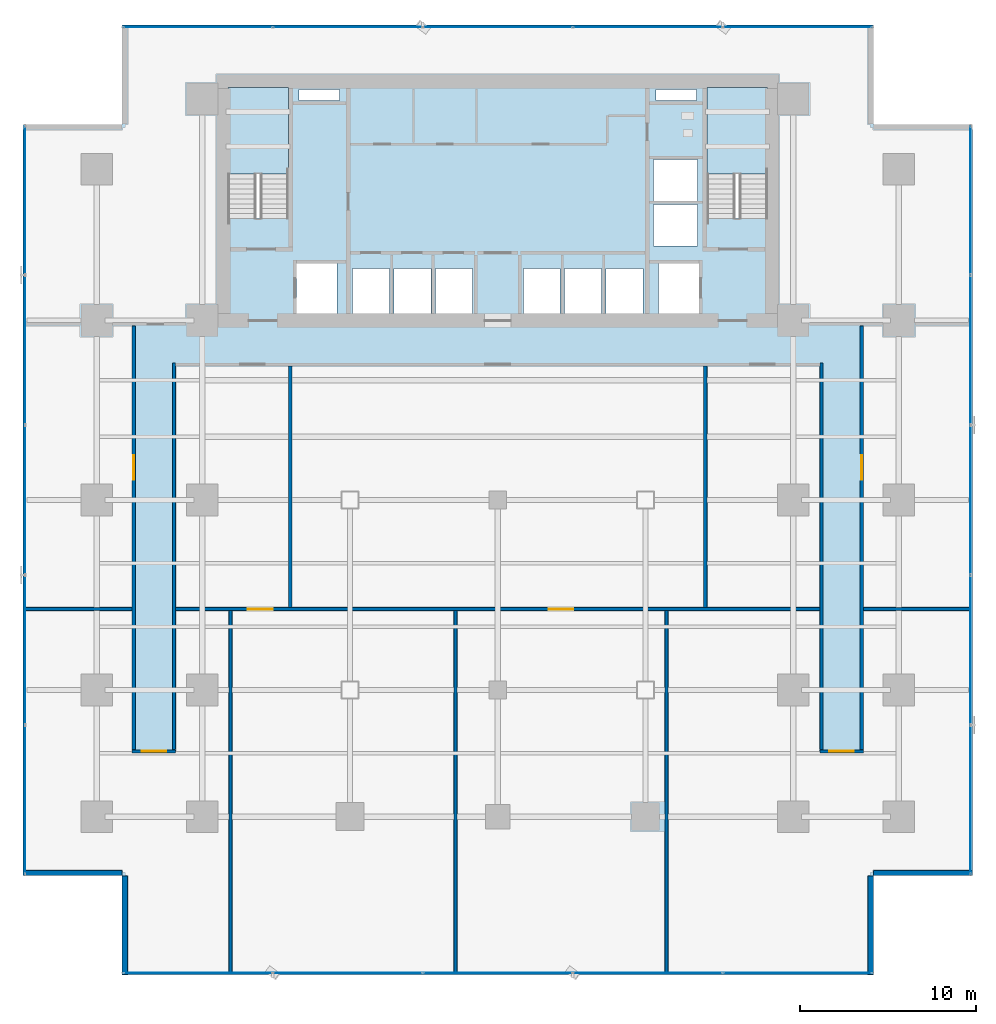
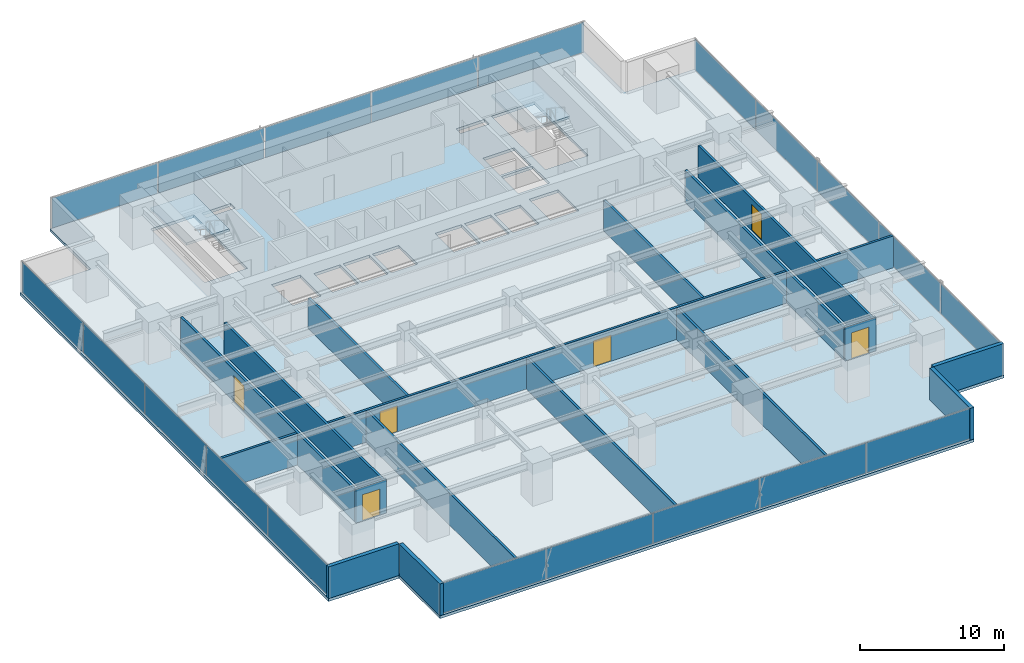
# One storey, part 24 of 33: 20 plates, 18 walls, 6 doors, 3 slabs, 6 openings, 6 elements without a shape of their own.
"""IFC4 building model written with IfcOpenShell, lengths in metres."""

from ifc_helpers import new_model, si_unit, direction, frame, frame_2d, origin, origin_2d, place, context, subcontext, project, spatial, polyline, rectangle, outline, extrude, source, transform, mapped, material, layer, layer_set, type_object, element, fill, aggregate, save


model = new_model("IFC4")

# Units and contexts
model_context = context("Model", 3, precision=1e-05, world=origin(), true_north=direction((0.0, 1.0)))
body_context = subcontext(model_context, "Body", "Model", "MODEL_VIEW")
ifc_project = project(units=[si_unit("LENGTHUNIT", "METRE"), si_unit("AREAUNIT", "SQUARE_METRE"), si_unit("VOLUMEUNIT", "CUBIC_METRE"), si_unit("PLANEANGLEUNIT", "RADIAN"), si_unit("MASSUNIT", "GRAM", prefix="KILO")], contexts=[model_context])

# Site, building, storey
site_placement = place(None, origin())
site = spatial("IfcSite", under=ifc_project, at=site_placement, CompositionType="ELEMENT")
building_placement = place(site_placement, origin())
building = spatial("IfcBuilding", under=site, at=building_placement, Name="Sumidabori Civic Tower", CompositionType="ELEMENT")
storey_placement = place(building_placement, frame((0.0, 0.0, 66.800048828125)))
storey = spatial("IfcBuildingStorey", under=building, at=storey_placement, Name="L17", CompositionType="ELEMENT", Elevation=66.800048828125)

# Stair, slab
ifc_material_1 = material(Name="Concrete C40/50", Category="concrete")
stair_type = type_object("IfcStairType", Name="ST-CORE-1600", PredefinedType="HALF_TURN_STAIR", material=ifc_material_1)
stair_1_placement = place(storey_placement, origin())
stair_1 = element("IfcStair", 1, at=stair_1_placement, inside=storey, type_object=stair_type, Name="L17 ST-1", PredefinedType="HALF_TURN_STAIR")
ifc_layer_1 = layer(ifc_material_1, 0.199951171875, Name="Concrete C40/50")
ifc_layer_set_1 = layer_set([ifc_layer_1], Name="Concrete C40/50")
slab_type_1 = type_object("IfcSlabType", Name="SL-LAND-200", PredefinedType="LANDING", material=ifc_layer_set_1)
slab_1_placement = place(storey_placement, frame((0.0, 0.0, 1.599853515625)))
slab_1 = element("IfcSlab", 2, at=slab_1_placement, type_object=slab_type_1, Name="ST-1 landing 1", PredefinedType="LANDING", context=body_context, shape_type="SweptSolid", body=[
    extrude(outline(polyline([(-11.89990234375, 18.52001953125), (-11.89990234375, 23.449951171875), (-15.340087890625, 23.449951171875), (-15.340087890625, 18.52001953125), (-11.89990234375, 18.52001953125)])), origin(), (0.0, 0.0, 1.0), 0.2001953125),
])
aggregate(stair_1, [slab_1])

stair_2_placement = place(storey_placement, origin())
stair_2 = element("IfcStair", 3, at=stair_2_placement, inside=storey, type_object=stair_type, Name="L17 ST-2", PredefinedType="HALF_TURN_STAIR")
slab_2_placement = place(storey_placement, frame((0.0, 0.0, 1.599853515625)))
slab_2 = element("IfcSlab", 4, at=slab_2_placement, type_object=slab_type_1, Name="ST-2 landing 1", PredefinedType="LANDING", context=body_context, shape_type="SweptSolid", body=[
    extrude(outline(polyline([(15.340087890625, 18.52001953125), (15.340087890625, 23.449951171875), (11.89990234375, 23.449951171875), (11.89990234375, 18.52001953125), (15.340087890625, 18.52001953125)])), origin(), (0.0, 0.0, 1.0), 0.2001953125),
])
aggregate(stair_2, [slab_2])

# Slab
ifc_layer_2 = layer(ifc_material_1, 0.239990234375, Name="Concrete C40/50")
ifc_layer_set_2 = layer_set([ifc_layer_2], Name="Concrete C40/50")
slab_type_2 = type_object("IfcSlabType", Name="SL-Z1-240", PredefinedType="FLOOR", material=ifc_layer_set_2)
slab_3_placement = place(storey_placement, frame((0.0, 0.0, -0.239990234375)))
element("IfcSlab", 5, at=slab_3_placement, inside=storey, type_object=slab_type_2, Name="Structural Slab L17", PredefinedType="FLOOR", context=body_context, shape_type="SweptSolid", body=[
    extrude(outline(polyline([(-21.35009765625, -27.0), (21.35009765625, -27.0), (21.35009765625, -21.35009765625), (27.0, -21.35009765625), (27.0, 21.35009765625), (21.35009765625, 21.35009765625), (21.35009765625, 27.0), (-21.35009765625, 27.0), (-21.35009765625, 21.35009765625), (-27.0, 21.35009765625), (-27.0, -21.35009765625), (-21.35009765625, -21.35009765625), (-21.35009765625, -27.0)]), holes=[polyline([(-11.89990234375, 16.0), (-11.89990234375, 23.449951171875), (-15.340087890625, 23.449951171875), (-15.340087890625, 16.0), (-11.89990234375, 16.0)]), polyline([(15.340087890625, 16.0), (15.340087890625, 23.449951171875), (11.89990234375, 23.449951171875), (11.89990234375, 16.0), (15.340087890625, 16.0)]), polyline([(-11.449951171875, 10.550048828125), (-9.14990234375, 10.550048828125), (-9.14990234375, 13.449951171875), (-11.449951171875, 13.449951171875), (-11.449951171875, 10.550048828125)]), polyline([(9.14990234375, 10.550048828125), (11.449951171875, 10.550048828125), (11.449951171875, 13.449951171875), (9.14990234375, 13.449951171875), (9.14990234375, 10.550048828125)]), polyline([(-8.25, 10.550048828125), (-6.14990234375, 10.550048828125), (-6.14990234375, 13.14990234375), (-8.25, 13.14990234375), (-8.25, 10.550048828125)]), polyline([(-5.89990234375, 10.550048828125), (-3.800048828125, 10.550048828125), (-3.800048828125, 13.14990234375), (-5.89990234375, 13.14990234375), (-5.89990234375, 10.550048828125)]), polyline([(-3.550048828125, 10.550048828125), (-1.449951171875, 10.550048828125), (-1.449951171875, 13.14990234375), (-3.550048828125, 13.14990234375), (-3.550048828125, 10.550048828125)]), polyline([(1.449951171875, 10.550048828125), (3.550048828125, 10.550048828125), (3.550048828125, 13.14990234375), (1.449951171875, 13.14990234375), (1.449951171875, 10.550048828125)]), polyline([(3.800048828125, 10.550048828125), (5.89990234375, 10.550048828125), (5.89990234375, 13.14990234375), (3.800048828125, 13.14990234375), (3.800048828125, 10.550048828125)]), polyline([(6.14990234375, 10.550048828125), (8.25, 10.550048828125), (8.25, 13.14990234375), (6.14990234375, 13.14990234375), (6.14990234375, 10.550048828125)]), polyline([(8.85009765625, 14.449951171875), (11.35009765625, 14.449951171875), (11.35009765625, 16.800048828125), (8.85009765625, 16.800048828125), (8.85009765625, 14.449951171875)]), polyline([(8.85009765625, 17.0), (11.35009765625, 17.0), (11.35009765625, 19.35009765625), (8.85009765625, 19.35009765625), (8.85009765625, 17.0)]), polyline([(-11.300048828125, 22.719970703125), (-9.0, 22.719970703125), (-9.0, 23.35009765625), (-11.300048828125, 23.35009765625), (-11.300048828125, 22.719970703125)]), polyline([(9.0, 22.719970703125), (11.300048828125, 22.719970703125), (11.300048828125, 23.35009765625), (9.0, 23.35009765625), (9.0, 22.719970703125)])]), origin(), (0.0, 0.0, 1.0), 0.239990234375),
])

# Curtain wall, plates
ifc_material_2 = material(Name="Anodised Bronze Aluminium AW-6063-T6", Category="aluminium")
ifc_layer_3 = layer(ifc_material_2, 0.179931640625, Name="Anodised Bronze Aluminium AW-6063-T6")
ifc_layer_set_3 = layer_set([ifc_layer_3], Name="Anodised Bronze Aluminium AW-6063-T6")
curtain_wall_type = type_object("IfcCurtainWallType", Name="CW-SYS-2", PredefinedType="NOTDEFINED", material=ifc_layer_set_3)
curtain_wall_1_placement = place(storey_placement, origin())
curtain_wall_1 = element("IfcCurtainWall", 6, at=curtain_wall_1_placement, inside=storey, type_object=curtain_wall_type, Name="Curtain Wall CW:L17:R01", PredefinedType="NOTDEFINED")
ifc_material_3 = material(Name="Low-E Solar-Control Vision Glazing", Category="glass")
ifc_layer_4 = layer(ifc_material_3, 0.028076171875, Name="Low-E Solar-Control Vision Glazing")
ifc_layer_set_4 = layer_set([ifc_layer_4], Name="Low-E Solar-Control Vision Glazing")
plate_type = type_object("IfcPlateType", Name="CW-PNL-28", PredefinedType="CURTAIN_PANEL", material=ifc_layer_set_4)
shared_shape_1 = source(origin(), body_context, "Body", "SweptSolid", [
    extrude(rectangle(XDim=8.423095703125, YDim=0.028076171875, at=origin_2d()), origin(), (0.0, 0.0, 1.0), 2.550048828125),
])
plate_1_placement = place(storey_placement, frame((-17.03857421875, -26.8798828125, 0.06494140625), z_axis=(0.0, 0.0, 1.0), x_axis=(1.0, 0.0, 0.0)))
plate_1 = element("IfcPlate", 7, at=plate_1_placement, type_object=plate_type, Name="CW-2 panel 1.1", PredefinedType="CURTAIN_PANEL", context=body_context, shape_type="MappedRepresentation", body=[
    mapped(shared_shape_1, transform((0.0, 0.0, 0.0), x_axis=(1.0, 0.0, 0.0), y_axis=(0.0, 1.0, 0.0), z_axis=(0.0, 0.0, 1.0), scale=1.0)),
])
plate_2_placement = place(storey_placement, frame((17.03857421875, -26.8798828125, 0.06494140625), z_axis=(0.0, 0.0, 1.0), x_axis=(1.0, 0.0, 0.0)))
plate_2 = element("IfcPlate", 8, at=plate_2_placement, type_object=plate_type, Name="CW-2 panel 5.1", PredefinedType="CURTAIN_PANEL", context=body_context, shape_type="MappedRepresentation", body=[
    mapped(shared_shape_1, transform((0.0, 0.0, 0.0), x_axis=(1.0, 0.0, 0.0), y_axis=(0.0, 1.0, 0.0), z_axis=(0.0, 0.0, 1.0), scale=1.0)),
])

curtain_wall_2_placement = place(storey_placement, origin())
curtain_wall_2 = element("IfcCurtainWall", 9, at=curtain_wall_2_placement, inside=storey, type_object=curtain_wall_type, Name="Curtain Wall CW:L17:R04", PredefinedType="NOTDEFINED")
plate_3_placement = place(storey_placement, frame((26.8798828125, -17.03857421875, 0.06494140625), z_axis=(0.0, 0.0, 1.0), x_axis=(0.0, 1.0, 0.0)))
plate_3 = element("IfcPlate", 10, at=plate_3_placement, type_object=plate_type, Name="CW-2 panel 1.1", PredefinedType="CURTAIN_PANEL", context=body_context, shape_type="MappedRepresentation", body=[
    mapped(shared_shape_1, transform((0.0, 0.0, 0.0), x_axis=(1.0, 0.0, 0.0), y_axis=(0.0, 1.0, 0.0), z_axis=(0.0, 0.0, 1.0), scale=1.0)),
])
plate_4_placement = place(storey_placement, frame((26.8798828125, 17.03857421875, 0.06494140625), z_axis=(0.0, 0.0, 1.0), x_axis=(0.0, 1.0, 0.0)))
plate_4 = element("IfcPlate", 11, at=plate_4_placement, type_object=plate_type, Name="CW-2 panel 5.1", PredefinedType="CURTAIN_PANEL", context=body_context, shape_type="MappedRepresentation", body=[
    mapped(shared_shape_1, transform((0.0, 0.0, 0.0), x_axis=(1.0, 0.0, 0.0), y_axis=(0.0, 1.0, 0.0), z_axis=(0.0, 0.0, 1.0), scale=1.0)),
])

curtain_wall_3_placement = place(storey_placement, origin())
curtain_wall_3 = element("IfcCurtainWall", 12, at=curtain_wall_3_placement, inside=storey, type_object=curtain_wall_type, Name="Curtain Wall CW:L17:R07", PredefinedType="NOTDEFINED")
plate_5_placement = place(storey_placement, frame((17.03857421875, 26.8798828125, 0.06494140625), z_axis=(0.0, 0.0, 1.0), x_axis=(-1.0, 0.0, 0.0)))
plate_5 = element("IfcPlate", 13, at=plate_5_placement, type_object=plate_type, Name="CW-2 panel 1.1", PredefinedType="CURTAIN_PANEL", context=body_context, shape_type="MappedRepresentation", body=[
    mapped(shared_shape_1, transform((0.0, 0.0, 0.0), x_axis=(1.0, 0.0, 0.0), y_axis=(0.0, 1.0, 0.0), z_axis=(0.0, 0.0, 1.0), scale=1.0)),
])
plate_6_placement = place(storey_placement, frame((-17.03857421875, 26.8798828125, 0.06494140625), z_axis=(0.0, 0.0, 1.0), x_axis=(-1.0, 0.0, 0.0)))
plate_6 = element("IfcPlate", 14, at=plate_6_placement, type_object=plate_type, Name="CW-2 panel 5.1", PredefinedType="CURTAIN_PANEL", context=body_context, shape_type="MappedRepresentation", body=[
    mapped(shared_shape_1, transform((0.0, 0.0, 0.0), x_axis=(1.0, 0.0, 0.0), y_axis=(0.0, 1.0, 0.0), z_axis=(0.0, 0.0, 1.0), scale=1.0)),
])

curtain_wall_4_placement = place(storey_placement, origin())
curtain_wall_4 = element("IfcCurtainWall", 15, at=curtain_wall_4_placement, inside=storey, type_object=curtain_wall_type, Name="Curtain Wall CW:L17:R10", PredefinedType="NOTDEFINED")
plate_7_placement = place(storey_placement, frame((-26.8798828125, 17.03857421875, 0.06494140625), z_axis=(0.0, 0.0, 1.0), x_axis=(0.0, -1.0, 0.0)))
plate_7 = element("IfcPlate", 16, at=plate_7_placement, type_object=plate_type, Name="CW-2 panel 1.1", PredefinedType="CURTAIN_PANEL", context=body_context, shape_type="MappedRepresentation", body=[
    mapped(shared_shape_1, transform((0.0, 0.0, 0.0), x_axis=(1.0, 0.0, 0.0), y_axis=(0.0, 1.0, 0.0), z_axis=(0.0, 0.0, 1.0), scale=1.0)),
])
plate_8_placement = place(storey_placement, frame((-26.8798828125, -17.03857421875, 0.06494140625), z_axis=(0.0, 0.0, 1.0), x_axis=(0.0, -1.0, 0.0)))
plate_8 = element("IfcPlate", 17, at=plate_8_placement, type_object=plate_type, Name="CW-2 panel 5.1", PredefinedType="CURTAIN_PANEL", context=body_context, shape_type="MappedRepresentation", body=[
    mapped(shared_shape_1, transform((0.0, 0.0, 0.0), x_axis=(1.0, 0.0, 0.0), y_axis=(0.0, 1.0, 0.0), z_axis=(0.0, 0.0, 1.0), scale=1.0)),
])

# Plate
shared_shape_2 = source(origin(), body_context, "Body", "SweptSolid", [
    extrude(rectangle(XDim=8.4580078125, YDim=0.028076171875, at=origin_2d()), origin(), (0.0, 0.0, 1.0), 2.550048828125),
])
plate_9_placement = place(storey_placement, frame((-8.528076171875, -26.8798828125, 0.06494140625), z_axis=(0.0, 0.0, 1.0), x_axis=(1.0, 0.0, 0.0)))
plate_9 = element("IfcPlate", 18, at=plate_9_placement, type_object=plate_type, Name="CW-2 panel 2.1", PredefinedType="CURTAIN_PANEL", context=body_context, shape_type="MappedRepresentation", body=[
    mapped(shared_shape_2, transform((0.0, 0.0, 0.0), x_axis=(1.0, 0.0, 0.0), y_axis=(0.0, 1.0, 0.0), z_axis=(0.0, 0.0, 1.0), scale=1.0)),
])

plate_10_placement = place(storey_placement, frame((0.0, -26.8798828125, 0.06494140625), z_axis=(0.0, 0.0, 1.0), x_axis=(1.0, 0.0, 0.0)))
plate_10 = element("IfcPlate", 19, at=plate_10_placement, type_object=plate_type, Name="CW-2 panel 3.1", PredefinedType="CURTAIN_PANEL", context=body_context, shape_type="MappedRepresentation", body=[
    mapped(shared_shape_2, transform((0.0, 0.0, 0.0), x_axis=(1.0, 0.0, 0.0), y_axis=(0.0, 1.0, 0.0), z_axis=(0.0, 0.0, 1.0), scale=1.0)),
])

plate_11_placement = place(storey_placement, frame((8.528076171875, -26.8798828125, 0.06494140625), z_axis=(0.0, 0.0, 1.0), x_axis=(1.0, 0.0, 0.0)))
plate_11 = element("IfcPlate", 20, at=plate_11_placement, type_object=plate_type, Name="CW-2 panel 4.1", PredefinedType="CURTAIN_PANEL", context=body_context, shape_type="MappedRepresentation", body=[
    mapped(shared_shape_2, transform((0.0, 0.0, 0.0), x_axis=(1.0, 0.0, 0.0), y_axis=(0.0, 1.0, 0.0), z_axis=(0.0, 0.0, 1.0), scale=1.0)),
])

aggregate(curtain_wall_1, [plate_1, plate_9, plate_10, plate_11, plate_2])

plate_12_placement = place(storey_placement, frame((26.8798828125, -8.528076171875, 0.06494140625), z_axis=(0.0, 0.0, 1.0), x_axis=(0.0, 1.0, 0.0)))
plate_12 = element("IfcPlate", 21, at=plate_12_placement, type_object=plate_type, Name="CW-2 panel 2.1", PredefinedType="CURTAIN_PANEL", context=body_context, shape_type="MappedRepresentation", body=[
    mapped(shared_shape_2, transform((0.0, 0.0, 0.0), x_axis=(1.0, 0.0, 0.0), y_axis=(0.0, 1.0, 0.0), z_axis=(0.0, 0.0, 1.0), scale=1.0)),
])

plate_13_placement = place(storey_placement, frame((26.8798828125, 0.0, 0.06494140625), z_axis=(0.0, 0.0, 1.0), x_axis=(0.0, 1.0, 0.0)))
plate_13 = element("IfcPlate", 22, at=plate_13_placement, type_object=plate_type, Name="CW-2 panel 3.1", PredefinedType="CURTAIN_PANEL", context=body_context, shape_type="MappedRepresentation", body=[
    mapped(shared_shape_2, transform((0.0, 0.0, 0.0), x_axis=(1.0, 0.0, 0.0), y_axis=(0.0, 1.0, 0.0), z_axis=(0.0, 0.0, 1.0), scale=1.0)),
])

plate_14_placement = place(storey_placement, frame((26.8798828125, 8.528076171875, 0.06494140625), z_axis=(0.0, 0.0, 1.0), x_axis=(0.0, 1.0, 0.0)))
plate_14 = element("IfcPlate", 23, at=plate_14_placement, type_object=plate_type, Name="CW-2 panel 4.1", PredefinedType="CURTAIN_PANEL", context=body_context, shape_type="MappedRepresentation", body=[
    mapped(shared_shape_2, transform((0.0, 0.0, 0.0), x_axis=(1.0, 0.0, 0.0), y_axis=(0.0, 1.0, 0.0), z_axis=(0.0, 0.0, 1.0), scale=1.0)),
])

aggregate(curtain_wall_2, [plate_3, plate_12, plate_13, plate_14, plate_4])

plate_15_placement = place(storey_placement, frame((8.528076171875, 26.8798828125, 0.06494140625), z_axis=(0.0, 0.0, 1.0), x_axis=(-1.0, 0.0, 0.0)))
plate_15 = element("IfcPlate", 24, at=plate_15_placement, type_object=plate_type, Name="CW-2 panel 2.1", PredefinedType="CURTAIN_PANEL", context=body_context, shape_type="MappedRepresentation", body=[
    mapped(shared_shape_2, transform((0.0, 0.0, 0.0), x_axis=(1.0, 0.0, 0.0), y_axis=(0.0, 1.0, 0.0), z_axis=(0.0, 0.0, 1.0), scale=1.0)),
])

plate_16_placement = place(storey_placement, frame((0.0, 26.8798828125, 0.06494140625), z_axis=(0.0, 0.0, 1.0), x_axis=(-1.0, 0.0, 0.0)))
plate_16 = element("IfcPlate", 25, at=plate_16_placement, type_object=plate_type, Name="CW-2 panel 3.1", PredefinedType="CURTAIN_PANEL", context=body_context, shape_type="MappedRepresentation", body=[
    mapped(shared_shape_2, transform((0.0, 0.0, 0.0), x_axis=(1.0, 0.0, 0.0), y_axis=(0.0, 1.0, 0.0), z_axis=(0.0, 0.0, 1.0), scale=1.0)),
])

plate_17_placement = place(storey_placement, frame((-8.528076171875, 26.8798828125, 0.06494140625), z_axis=(0.0, 0.0, 1.0), x_axis=(-1.0, 0.0, 0.0)))
plate_17 = element("IfcPlate", 26, at=plate_17_placement, type_object=plate_type, Name="CW-2 panel 4.1", PredefinedType="CURTAIN_PANEL", context=body_context, shape_type="MappedRepresentation", body=[
    mapped(shared_shape_2, transform((0.0, 0.0, 0.0), x_axis=(1.0, 0.0, 0.0), y_axis=(0.0, 1.0, 0.0), z_axis=(0.0, 0.0, 1.0), scale=1.0)),
])

aggregate(curtain_wall_3, [plate_5, plate_15, plate_16, plate_17, plate_6])

plate_18_placement = place(storey_placement, frame((-26.8798828125, 8.528076171875, 0.06494140625), z_axis=(0.0, 0.0, 1.0), x_axis=(0.0, -1.0, 0.0)))
plate_18 = element("IfcPlate", 27, at=plate_18_placement, type_object=plate_type, Name="CW-2 panel 2.1", PredefinedType="CURTAIN_PANEL", context=body_context, shape_type="MappedRepresentation", body=[
    mapped(shared_shape_2, transform((0.0, 0.0, 0.0), x_axis=(1.0, 0.0, 0.0), y_axis=(0.0, 1.0, 0.0), z_axis=(0.0, 0.0, 1.0), scale=1.0)),
])

plate_19_placement = place(storey_placement, frame((-26.8798828125, 0.0, 0.06494140625), z_axis=(0.0, 0.0, 1.0), x_axis=(0.0, -1.0, 0.0)))
plate_19 = element("IfcPlate", 28, at=plate_19_placement, type_object=plate_type, Name="CW-2 panel 3.1", PredefinedType="CURTAIN_PANEL", context=body_context, shape_type="MappedRepresentation", body=[
    mapped(shared_shape_2, transform((0.0, 0.0, 0.0), x_axis=(1.0, 0.0, 0.0), y_axis=(0.0, 1.0, 0.0), z_axis=(0.0, 0.0, 1.0), scale=1.0)),
])

plate_20_placement = place(storey_placement, frame((-26.8798828125, -8.528076171875, 0.06494140625), z_axis=(0.0, 0.0, 1.0), x_axis=(0.0, -1.0, 0.0)))
plate_20 = element("IfcPlate", 29, at=plate_20_placement, type_object=plate_type, Name="CW-2 panel 4.1", PredefinedType="CURTAIN_PANEL", context=body_context, shape_type="MappedRepresentation", body=[
    mapped(shared_shape_2, transform((0.0, 0.0, 0.0), x_axis=(1.0, 0.0, 0.0), y_axis=(0.0, 1.0, 0.0), z_axis=(0.0, 0.0, 1.0), scale=1.0)),
])

aggregate(curtain_wall_4, [plate_7, plate_18, plate_19, plate_20, plate_8])

# Walls
ifc_material_4 = material(Name="Precast concrete C40/50", Category="concrete")
ifc_layer_5 = layer(ifc_material_4, 0.300048828125, Name="Precast concrete C40/50")
ifc_layer_set_5 = layer_set([ifc_layer_5], Name="Precast concrete C40/50")
wall_type_1 = type_object("IfcWallType", Name="WL-EXT-POD300", PredefinedType="STANDARD", material=ifc_layer_set_5)
shared_shape_3 = source(origin(), body_context, "Body", "SweptSolid", [
    extrude(rectangle(XDim=5.60986328125, YDim=0.300048828125, at=frame_2d((2.804931640625, 0.0))), origin(), (0.0, 0.0, 1.0), 2.679931640625),
])
for number, where, z_axis, x_axis, name in (
    (30, (21.199951171875, -26.97998046875, 0.0), (0.0, 0.0, 1.0), (0.0, 1.0, 0.0), "Notched Corner Spandrel Band L17-02"),
    (31, (21.3701171875, -21.199951171875, 0.0), (0.0, 0.0, 1.0), (1.0, 0.0, 0.0), "Notched Corner Spandrel Band L17-03"),
    (32, (-26.97998046875, -21.199951171875, 0.0), (0.0, 0.0, 1.0), (1.0, 0.0, 0.0), "Notched Corner Spandrel Band L17-11"),
    (33, (-21.199951171875, -21.3701171875, 0.0), (0.0, 0.0, 1.0), (0.0, -1.0, 0.0), "Notched Corner Spandrel Band L17-12"),
):
    element("IfcWall", number, at=place(storey_placement, frame(where, z_axis=z_axis, x_axis=x_axis)), inside=storey, type_object=wall_type_1, Name=name, PredefinedType="STANDARD", context=body_context, shape_type="MappedRepresentation", body=[
        mapped(shared_shape_3, transform((0.0, 0.0, 0.0), x_axis=(1.0, 0.0, 0.0), y_axis=(0.0, 1.0, 0.0), z_axis=(0.0, 0.0, 1.0), scale=1.0)),
    ])

# Wall, opening, door
ifc_material_5 = material(Name="Gypsum Plasterboard Acoustic Partition")
ifc_layer_6 = layer(ifc_material_5, 0.179931640625, Name="Gypsum Plasterboard Acoustic Partition")
ifc_layer_set_6 = layer_set([ifc_layer_6], Name="Gypsum Plasterboard Acoustic Partition")
wall_type_2 = type_object("IfcWallType", Name="WL-PART-180", PredefinedType="PARTITIONING", material=ifc_layer_set_6)
shared_shape_4 = source(origin(), body_context, "Body", "SweptSolid", [
    extrude(rectangle(XDim=2.4599609375, YDim=0.179931640625, at=frame_2d((1.22998046875, 0.0))), origin(), (0.0, 0.0, 1.0), 2.8349609375),
])
wall_1_placement = place(storey_placement, frame((-20.780029296875, -14.2900390625, 0.0), z_axis=(0.0, 0.0, 1.0), x_axis=(1.0, 0.0, 0.0)))
wall_1 = element("IfcWall", 34, at=wall_1_placement, inside=storey, type_object=wall_type_2, Name="Interior Partition WL:L17:CORR-CAP-W", PredefinedType="PARTITIONING", context=body_context, shape_type="MappedRepresentation", body=[
    mapped(shared_shape_4, transform((0.0, 0.0, 0.0), x_axis=(1.0, 0.0, 0.0), y_axis=(0.0, 1.0, 0.0), z_axis=(0.0, 0.0, 1.0), scale=1.0)),
])
opening_1_placement = place(wall_1_placement, frame((0.5400390625, 0.0, 0.0)))
opening_1 = element("IfcOpeningElement", 35, at=opening_1_placement, cuts=wall_1, Name="Opening DR-5", PredefinedType="OPENING", context=body_context, shape_type="SweptSolid", body=[
    extrude(rectangle(XDim=1.39990234375, YDim=2.199951171875, at=frame_2d((0.699951171875, 1.10009765625))), frame((0.0, 0.10205078125, 0.0), z_axis=(0.0, -1.0, 0.0), x_axis=(1.0, 0.0, 0.0)), (0.0, 0.0, 1.0), 0.203857421875),
])
door_type = type_object("IfcDoorType", Name="DR-DBL-1400", OperationType="DOUBLE_DOOR_SINGLE_SWING", PredefinedType="DOOR", material=ifc_material_2)
shared_shape_5 = source(origin(), body_context, "Body", "SweptSolid", [
    extrude(rectangle(XDim=1.39990234375, YDim=2.199951171875, at=frame_2d((0.699951171875, 1.10009765625))), frame((0.0, 0.02490234375, 0.0), z_axis=(0.0, -1.0, 0.0), x_axis=(1.0, 0.0, 0.0)), (0.0, 0.0, 1.0), 0.050048828125),
])
door_1_placement = place(opening_1_placement, origin())
door_1 = element("IfcDoor", 36, at=door_1_placement, inside=storey, type_object=door_type, Name="Door DR:L17:D07", OperationType="DOUBLE_DOOR_SINGLE_SWING", OverallHeight=2.199951171875, OverallWidth=1.39990234375, PredefinedType="DOOR", context=body_context, shape_type="MappedRepresentation", body=[
    mapped(shared_shape_5, transform((0.0, 0.0, 0.0), x_axis=(1.0, 0.0, 0.0), y_axis=(0.0, 1.0, 0.0), z_axis=(0.0, 0.0, 1.0), scale=1.0)),
])
fill(opening_1, door_1)

wall_2_placement = place(storey_placement, frame((18.320068359375, -14.2900390625, 0.0), z_axis=(0.0, 0.0, 1.0), x_axis=(1.0, 0.0, 0.0)))
wall_2 = element("IfcWall", 37, at=wall_2_placement, inside=storey, type_object=wall_type_2, Name="Interior Partition WL:L17:CORR-CAP-E", PredefinedType="PARTITIONING", context=body_context, shape_type="MappedRepresentation", body=[
    mapped(shared_shape_4, transform((0.0, 0.0, 0.0), x_axis=(1.0, 0.0, 0.0), y_axis=(0.0, 1.0, 0.0), z_axis=(0.0, 0.0, 1.0), scale=1.0)),
])
opening_2_placement = place(wall_2_placement, frame((0.52001953125, 0.0, 0.0)))
opening_2 = element("IfcOpeningElement", 38, at=opening_2_placement, cuts=wall_2, Name="Opening DR-5", PredefinedType="OPENING", context=body_context, shape_type="SweptSolid", body=[
    extrude(rectangle(XDim=1.39990234375, YDim=2.199951171875, at=frame_2d((0.699951171875, 1.10009765625))), frame((0.0, 0.10205078125, 0.0), z_axis=(0.0, -1.0, 0.0), x_axis=(1.0, 0.0, 0.0)), (0.0, 0.0, 1.0), 0.203857421875),
])
door_2_placement = place(opening_2_placement, origin())
door_2 = element("IfcDoor", 39, at=door_2_placement, inside=storey, type_object=door_type, Name="Door DR:L17:D08", OperationType="DOUBLE_DOOR_SINGLE_SWING", OverallHeight=2.199951171875, OverallWidth=1.39990234375, PredefinedType="DOOR", context=body_context, shape_type="MappedRepresentation", body=[
    mapped(shared_shape_5, transform((0.0, 0.0, 0.0), x_axis=(1.0, 0.0, 0.0), y_axis=(0.0, 1.0, 0.0), z_axis=(0.0, 0.0, 1.0), scale=1.0)),
])
fill(opening_2, door_2)

shared_shape_6 = source(origin(), body_context, "Body", "SweptSolid", [
    extrude(rectangle(XDim=24.10009765625, YDim=0.179931640625, at=frame_2d((12.050048828125, 0.0))), origin(), (0.0, 0.0, 1.0), 2.68505859375),
])
wall_3_placement = place(storey_placement, frame((-20.68994140625, -14.195068359375, 0.0), z_axis=(0.0, 0.0, 1.0), x_axis=(0.0, 1.0, 0.0)))
wall_3 = element("IfcWall", 40, at=wall_3_placement, inside=storey, type_object=wall_type_2, Name="Interior Partition WL:L17:CORR-VW-OUT", PredefinedType="PARTITIONING", context=body_context, shape_type="MappedRepresentation", body=[
    mapped(shared_shape_6, transform((0.0, 0.0, 0.0), x_axis=(1.0, 0.0, 0.0), y_axis=(0.0, 1.0, 0.0), z_axis=(0.0, 0.0, 1.0), scale=1.0)),
])
opening_3_placement = place(wall_3_placement, frame((15.33251953125, 0.0, 0.0)))
opening_3 = element("IfcOpeningElement", 41, at=opening_3_placement, cuts=wall_3, Name="Opening DR-5", PredefinedType="OPENING", context=body_context, shape_type="SweptSolid", body=[
    extrude(rectangle(XDim=1.39990234375, YDim=2.199951171875, at=frame_2d((0.699951171875, 1.10009765625))), frame((0.0, 0.10205078125, 0.0), z_axis=(0.0, -1.0, 0.0), x_axis=(1.0, 0.0, 0.0)), (0.0, 0.0, 1.0), 0.203857421875),
])
door_3_placement = place(opening_3_placement, origin())
door_3 = element("IfcDoor", 42, at=door_3_placement, inside=storey, type_object=door_type, Name="Door DR:L17:D02", OperationType="DOUBLE_DOOR_SINGLE_SWING", OverallHeight=2.199951171875, OverallWidth=1.39990234375, PredefinedType="DOOR", context=body_context, shape_type="MappedRepresentation", body=[
    mapped(shared_shape_5, transform((0.0, 0.0, 0.0), x_axis=(1.0, 0.0, 0.0), y_axis=(0.0, 1.0, 0.0), z_axis=(0.0, 0.0, 1.0), scale=1.0)),
])
fill(opening_3, door_3)

wall_4_placement = place(storey_placement, frame((20.68994140625, -14.195068359375, 0.0), z_axis=(0.0, 0.0, 1.0), x_axis=(0.0, 1.0, 0.0)))
wall_4 = element("IfcWall", 43, at=wall_4_placement, inside=storey, type_object=wall_type_2, Name="Interior Partition WL:L17:CORR-VE-OUT", PredefinedType="PARTITIONING", context=body_context, shape_type="MappedRepresentation", body=[
    mapped(shared_shape_6, transform((0.0, 0.0, 0.0), x_axis=(1.0, 0.0, 0.0), y_axis=(0.0, 1.0, 0.0), z_axis=(0.0, 0.0, 1.0), scale=1.0)),
])
opening_4_placement = place(wall_4_placement, frame((15.33251953125, 0.0, 0.0)))
opening_4 = element("IfcOpeningElement", 44, at=opening_4_placement, cuts=wall_4, Name="Opening DR-5", PredefinedType="OPENING", context=body_context, shape_type="SweptSolid", body=[
    extrude(rectangle(XDim=1.39990234375, YDim=2.199951171875, at=frame_2d((0.699951171875, 1.10009765625))), frame((0.0, 0.10205078125, 0.0), z_axis=(0.0, -1.0, 0.0), x_axis=(1.0, 0.0, 0.0)), (0.0, 0.0, 1.0), 0.203857421875),
])
door_4_placement = place(opening_4_placement, origin())
door_4 = element("IfcDoor", 45, at=door_4_placement, inside=storey, type_object=door_type, Name="Door DR:L17:D03", OperationType="DOUBLE_DOOR_SINGLE_SWING", OverallHeight=2.199951171875, OverallWidth=1.39990234375, PredefinedType="DOOR", context=body_context, shape_type="MappedRepresentation", body=[
    mapped(shared_shape_5, transform((0.0, 0.0, 0.0), x_axis=(1.0, 0.0, 0.0), y_axis=(0.0, 1.0, 0.0), z_axis=(0.0, 0.0, 1.0), scale=1.0)),
])
fill(opening_4, door_4)

# Walls
shared_shape_7 = source(origin(), body_context, "Body", "SweptSolid", [
    extrude(rectangle(XDim=21.9951171875, YDim=0.179931640625, at=frame_2d((10.99755859375, 0.0))), origin(), (0.0, 0.0, 1.0), 2.68505859375),
])
for number, where, z_axis, x_axis, name in (
    (46, (-18.409912109375, -14.195068359375, 0.0), (0.0, 0.0, 1.0), (0.0, 1.0, 0.0), "Interior Partition WL:L17:CORR-VW-IN"),
    (47, (18.409912109375, -14.195068359375, 0.0), (0.0, 0.0, 1.0), (0.0, 1.0, 0.0), "Interior Partition WL:L17:CORR-VE-IN"),
):
    element("IfcWall", number, at=place(storey_placement, frame(where, z_axis=z_axis, x_axis=x_axis)), inside=storey, type_object=wall_type_2, Name=name, PredefinedType="PARTITIONING", context=body_context, shape_type="MappedRepresentation", body=[
        mapped(shared_shape_7, transform((0.0, 0.0, 0.0), x_axis=(1.0, 0.0, 0.0), y_axis=(0.0, 1.0, 0.0), z_axis=(0.0, 0.0, 1.0), scale=1.0)),
    ])
shared_shape_8 = source(origin(), body_context, "Body", "SweptSolid", [
    extrude(rectangle(XDim=6.065185546875, YDim=0.179931640625, at=frame_2d((3.03271484375, 0.0))), origin(), (0.0, 0.0, 1.0), 2.68505859375),
])
for number, where, z_axis, x_axis, name in (
    (48, (-26.85009765625, -6.199951171875, 0.0), (0.0, 0.0, 1.0), (1.0, 0.0, 0.0), "Interior Partition WL:L17:BAND-Y-1"),
    (49, (20.784912109375, -6.199951171875, 0.0), (0.0, 0.0, 1.0), (1.0, 0.0, 0.0), "Interior Partition WL:L17:BAND-Y-3"),
):
    element("IfcWall", number, at=place(storey_placement, frame(where, z_axis=z_axis, x_axis=x_axis)), inside=storey, type_object=wall_type_2, Name=name, PredefinedType="PARTITIONING", context=body_context, shape_type="MappedRepresentation", body=[
        mapped(shared_shape_8, transform((0.0, 0.0, 0.0), x_axis=(1.0, 0.0, 0.0), y_axis=(0.0, 1.0, 0.0), z_axis=(0.0, 0.0, 1.0), scale=1.0)),
    ])

# Wall, openings, doors
shared_shape_9 = source(origin(), body_context, "Body", "SweptSolid", [
    extrude(rectangle(XDim=36.6298828125, YDim=0.179931640625, at=frame_2d((18.31494140625, 0.0))), origin(), (0.0, 0.0, 1.0), 2.68505859375),
])
wall_5_placement = place(storey_placement, frame((-18.31494140625, -6.199951171875, 0.0), z_axis=(0.0, 0.0, 1.0), x_axis=(1.0, 0.0, 0.0)))
wall_5 = element("IfcWall", 50, at=wall_5_placement, inside=storey, type_object=wall_type_2, Name="Interior Partition WL:L17:BAND-Y-2", PredefinedType="PARTITIONING", context=body_context, shape_type="MappedRepresentation", body=[
    mapped(shared_shape_9, transform((0.0, 0.0, 0.0), x_axis=(1.0, 0.0, 0.0), y_axis=(0.0, 1.0, 0.0), z_axis=(0.0, 0.0, 1.0), scale=1.0)),
])
opening_5_placement = place(wall_5_placement, frame((4.114990234375, 0.0, 0.0)))
opening_5 = element("IfcOpeningElement", 51, at=opening_5_placement, cuts=wall_5, Name="Opening DR-5", PredefinedType="OPENING", context=body_context, shape_type="SweptSolid", body=[
    extrude(rectangle(XDim=1.39990234375, YDim=2.199951171875, at=frame_2d((0.699951171875, 1.10009765625))), frame((0.0, 0.10205078125, 0.0), z_axis=(0.0, -1.0, 0.0), x_axis=(1.0, 0.0, 0.0)), (0.0, 0.0, 1.0), 0.203857421875),
])
opening_6_placement = place(wall_5_placement, frame((21.215087890625, 0.0, 0.0)))
opening_6 = element("IfcOpeningElement", 52, at=opening_6_placement, cuts=wall_5, Name="Opening DR-5", PredefinedType="OPENING", context=body_context, shape_type="SweptSolid", body=[
    extrude(rectangle(XDim=1.39990234375, YDim=2.199951171875, at=frame_2d((0.699951171875, 1.10009765625))), frame((0.0, 0.10205078125, 0.0), z_axis=(0.0, -1.0, 0.0), x_axis=(1.0, 0.0, 0.0)), (0.0, 0.0, 1.0), 0.203857421875),
])
door_5_placement = place(opening_5_placement, origin())
door_5 = element("IfcDoor", 53, at=door_5_placement, inside=storey, type_object=door_type, Name="Door DR:L17:D09", OperationType="DOUBLE_DOOR_SINGLE_SWING", OverallHeight=2.199951171875, OverallWidth=1.39990234375, PredefinedType="DOOR", context=body_context, shape_type="MappedRepresentation", body=[
    mapped(shared_shape_5, transform((0.0, 0.0, 0.0), x_axis=(1.0, 0.0, 0.0), y_axis=(0.0, 1.0, 0.0), z_axis=(0.0, 0.0, 1.0), scale=1.0)),
])
fill(opening_5, door_5)
door_6_placement = place(opening_6_placement, origin())
door_6 = element("IfcDoor", 54, at=door_6_placement, inside=storey, type_object=door_type, Name="Door DR:L17:D10", OperationType="DOUBLE_DOOR_SINGLE_SWING", OverallHeight=2.199951171875, OverallWidth=1.39990234375, PredefinedType="DOOR", context=body_context, shape_type="MappedRepresentation", body=[
    mapped(shared_shape_5, transform((0.0, 0.0, 0.0), x_axis=(1.0, 0.0, 0.0), y_axis=(0.0, 1.0, 0.0), z_axis=(0.0, 0.0, 1.0), scale=1.0)),
])
fill(opening_6, door_6)

# Walls
shared_shape_10 = source(origin(), body_context, "Body", "SweptSolid", [
    extrude(rectangle(XDim=13.719970703125, YDim=0.179931640625, at=frame_2d((6.85986328125, 0.0))), origin(), (0.0, 0.0, 1.0), 2.5849609375),
])
for number, where, z_axis, x_axis, name in (
    (55, (-11.800048828125, -6.10498046875, 0.0), (0.0, 0.0, 1.0), (0.0, 1.0, 0.0), "Interior Partition WL:L17:VX-N2"),
    (56, (11.800048828125, -6.10498046875, 0.0), (0.0, 0.0, 1.0), (0.0, 1.0, 0.0), "Interior Partition WL:L17:VX-N3"),
):
    element("IfcWall", number, at=place(storey_placement, frame(where, z_axis=z_axis, x_axis=x_axis)), inside=storey, type_object=wall_type_2, Name=name, PredefinedType="PARTITIONING", context=body_context, shape_type="MappedRepresentation", body=[
        mapped(shared_shape_10, transform((0.0, 0.0, 0.0), x_axis=(1.0, 0.0, 0.0), y_axis=(0.0, 1.0, 0.0), z_axis=(0.0, 0.0, 1.0), scale=1.0)),
    ])
shared_shape_11 = source(origin(), body_context, "Body", "SweptSolid", [
    extrude(rectangle(XDim=20.55517578125, YDim=0.179931640625, at=frame_2d((10.277587890625, 0.0))), origin(), (0.0, 0.0, 1.0), 2.68505859375),
])
for number, where, z_axis, x_axis, name in (
    (57, (-15.199951171875, -26.85009765625, 0.0), (0.0, 0.0, 1.0), (0.0, 1.0, 0.0), "Interior Partition WL:L17:VX-S1"),
    (58, (-2.39990234375, -26.85009765625, 0.0), (0.0, 0.0, 1.0), (0.0, 1.0, 0.0), "Interior Partition WL:L17:VX-S2"),
    (59, (9.60009765625, -26.85009765625, 0.0), (0.0, 0.0, 1.0), (0.0, 1.0, 0.0), "Interior Partition WL:L17:VX-S3"),
):
    element("IfcWall", number, at=place(storey_placement, frame(where, z_axis=z_axis, x_axis=x_axis)), inside=storey, type_object=wall_type_2, Name=name, PredefinedType="PARTITIONING", context=body_context, shape_type="MappedRepresentation", body=[
        mapped(shared_shape_11, transform((0.0, 0.0, 0.0), x_axis=(1.0, 0.0, 0.0), y_axis=(0.0, 1.0, 0.0), z_axis=(0.0, 0.0, 1.0), scale=1.0)),
    ])

save(model, "model.ifc")
